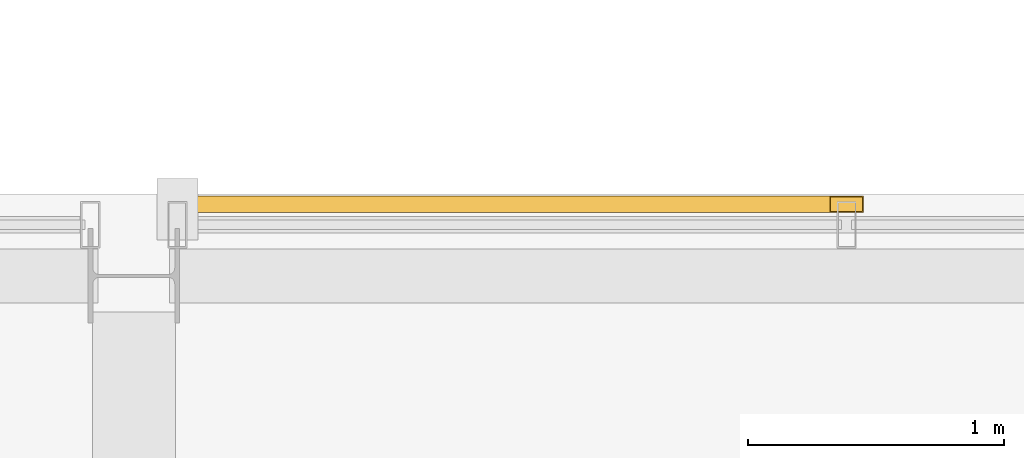
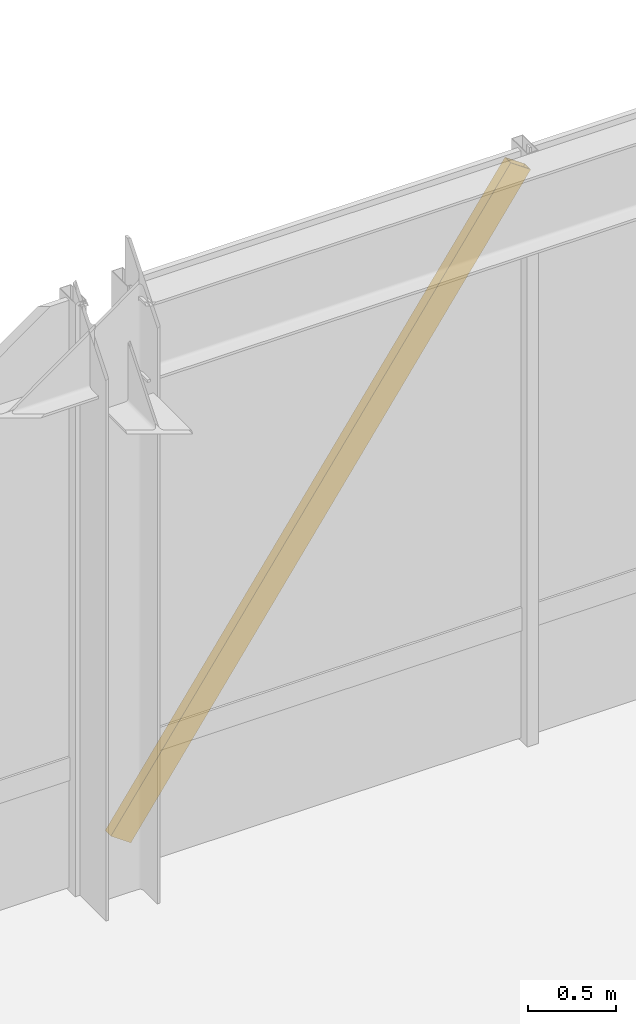
# One storey, part 34 of 34: 1 shading device.
"""IFC4 building model written with IfcOpenShell, lengths in metres."""

from ifc_helpers import new_model, si_unit, direction, frame, origin, origin_2d, place, context, subcontext, project, spatial, hollow_rectangle, extrude, material, material_profile, profile_set, type_object, element, save


model = new_model("IFC4")

# Units and contexts
model_context = context("Model", 3, precision=1e-05, world=origin(), true_north=direction((0.0, 1.0)))
body_context = subcontext(model_context, "Body", "Model", "MODEL_VIEW")
ifc_project = project(units=[si_unit("LENGTHUNIT", "METRE"), si_unit("AREAUNIT", "SQUARE_METRE"), si_unit("VOLUMEUNIT", "CUBIC_METRE"), si_unit("PLANEANGLEUNIT", "RADIAN"), si_unit("MASSUNIT", "GRAM", prefix="KILO")], contexts=[model_context])

# Site, building, storey
site_placement = place(None, origin())
site = spatial("IfcSite", under=ifc_project, at=site_placement, CompositionType="ELEMENT")
building_placement = place(site_placement, origin())
building = spatial("IfcBuilding", under=site, at=building_placement, Name="Drelvath Grand Hotel", CompositionType="ELEMENT")
storey_placement = place(building_placement, frame((0.0, 0.0, 294.199951171875)))
storey = spatial("IfcBuildingStorey", under=building, at=storey_placement, Name="L77", CompositionType="ELEMENT", Elevation=294.199951171875)

# Shading device
ifc_material = material(Name="Platinum-Mist Anodised Aluminium", Category="aluminium")
ifc_material_profile = material_profile(ifc_material, hollow_rectangle(XDim=0.06494140625, YDim=0.159912109375, WallThickness=0.00390625, at=origin_2d()), Name="HSS160X65X4")
ifc_profile_set = profile_set([ifc_material_profile], Name="Platinum-Mist Anodised Aluminium")
shading_device_type = type_object("IfcShadingDeviceType", Name="Diagonal Solar Fin Platinum Anodised HSS160X65X4", PredefinedType="USERDEFINED", material=ifc_profile_set)
shading_device_placement = place(storey_placement, frame((0.170166015625, 48.47998046875, 0.179931640625), z_axis=(0.572995507788, 0.0, 0.819558508012), x_axis=(0.0, 1.0, 0.0)))
element("IfcShadingDevice", 1, at=shading_device_placement, inside=storey, type_object=shading_device_type, Name="L77 Diagonal Anodised Fin CW05-L77-NM2", ObjectType="FIN", PredefinedType="USERDEFINED", context=body_context, shape_type="SweptSolid", body=[
    extrude(hollow_rectangle(XDim=0.06494140625, YDim=0.159912109375, WallThickness=0.00390625, at=origin_2d()), origin(), (0.0, 0.0, 1.0), 4.563720703125),
])

save(model, "model.ifc")
